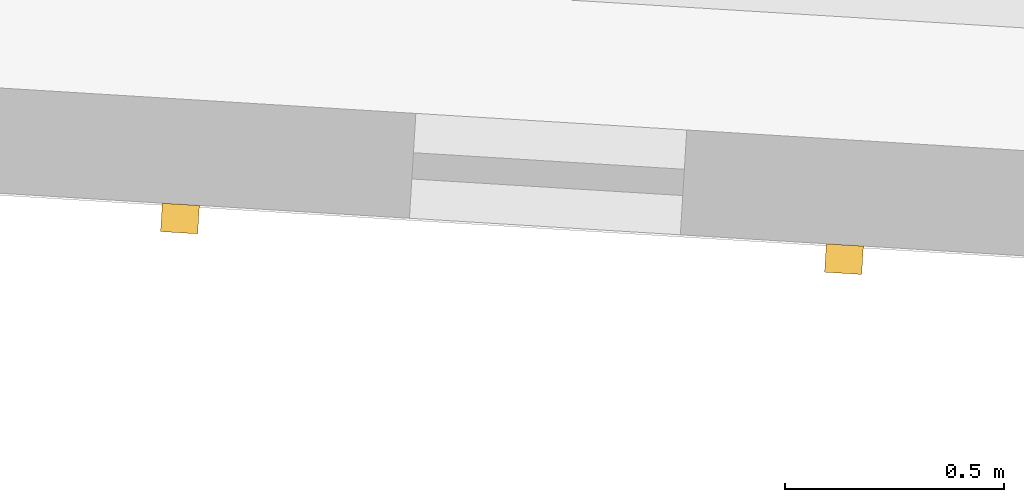
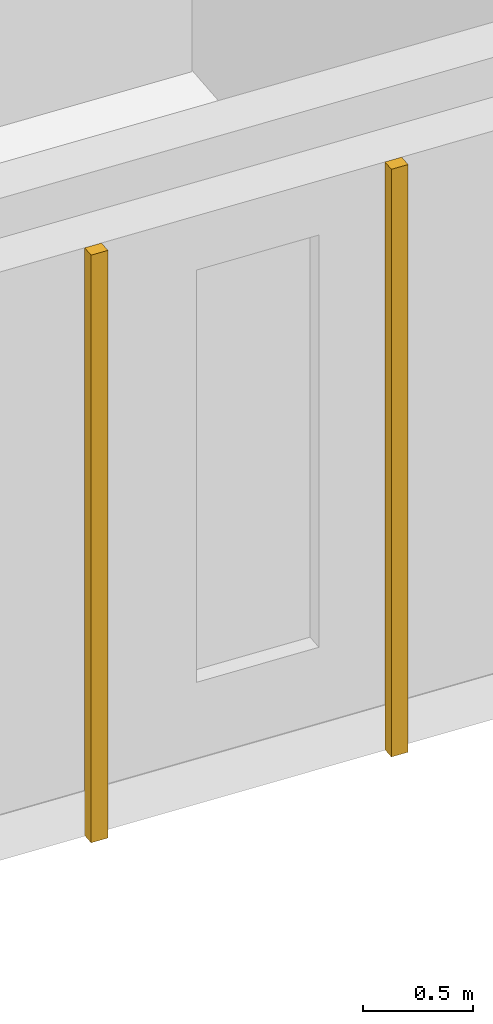
# One storey, part 52 of 68: 2 coverings.
"""IFC4 building model written with IfcOpenShell, lengths in metres."""

import ifcopenshell
import ifcopenshell.guid

model = None  # the IFC model being written
_history = None  # IfcOwnerHistory: only IFC2X3 demands one
_inside = {}  # id of a spatial element -> (the spatial element, [elements in it])
_under = {}  # id of a project, library or spatial element -> (it, [spatial elements below it])
_declared = {}  # id of a project -> (the project, [libraries it declares])
_typed = {}  # id of a type object -> (the type object, [elements of that type])
_made_of = {}  # id of a material, layer set ... -> (it, [elements and type objects made of it])


def new_model(schema):
    """Start an empty IFC model of exactly this schema.

    Asked for "IFC4X3", IfcOpenShell would pick the latest addendum, in which some entities
    have other attributes; the version numbers below select the first issue.
    IFC2X3 requires an IfcOwnerHistory on every rooted entity: one is made here for all.
    """
    global model, _history
    if schema == "IFC4X3":
        model = ifcopenshell.file(schema_version=(4, 3, 0, 0))
    else:
        model = ifcopenshell.file(schema=schema)
    _inside.clear()
    _under.clear()
    _declared.clear()
    _typed.clear()
    _made_of.clear()
    _history = None
    if model.schema == "IFC2X3":
        org = make("IfcOrganization", Name="unknown")
        user = make(
            "IfcPersonAndOrganization",
            ThePerson=make("IfcPerson", FamilyName="unknown"),
            TheOrganization=org,
        )
        app = make(
            "IfcApplication",
            ApplicationDeveloper=org,
            Version="unknown",
            ApplicationFullName="unknown",
            ApplicationIdentifier="unknown",
        )
        _history = make(
            "IfcOwnerHistory",
            OwningUser=user,
            OwningApplication=app,
            ChangeAction="ADDED",
            CreationDate=0,
        )
    return model


def make(cls, **values):
    """One entity of the class cls with the attributes given. An attribute that is None is left unset."""
    return model.create_entity(
        cls, **{name: value for name, value in values.items() if value is not None}
    )


def rooted(cls, **values):
    """An entity with a GlobalId (a new one), such as an element, a storey or a relation."""
    return make(cls, GlobalId=ifcopenshell.guid.new(), OwnerHistory=_history, **values)


def si_unit(unit_type, name, prefix=None):
    """IfcSIUnit, for example si_unit("LENGTHUNIT", "METRE", prefix="MILLI")."""
    return make("IfcSIUnit", UnitType=unit_type, Prefix=prefix, Name=name)


def assignment(units):
    """IfcUnitAssignment: the units of a project."""
    return None if units is None else make("IfcUnitAssignment", Units=units)


def point(xyz):
    """IfcCartesianPoint."""
    return None if xyz is None else make("IfcCartesianPoint", Coordinates=xyz)


def direction(xyz):
    """IfcDirection."""
    return None if xyz is None else make("IfcDirection", DirectionRatios=xyz)


def frame(location, z_axis=None, x_axis=None):
    """IfcAxis2Placement3D, a coordinate frame: its origin and axes. An axis left out is left unset."""
    return make(
        "IfcAxis2Placement3D",
        Location=point(location),
        Axis=direction(z_axis),
        RefDirection=direction(x_axis),
    )


def frame_2d(location, x_axis=None):
    """IfcAxis2Placement2D, a coordinate frame in the plane: its origin and x axis."""
    return make(
        "IfcAxis2Placement2D", Location=point(location), RefDirection=direction(x_axis)
    )


def origin():
    """The frame at (0, 0, 0) with its axes left unset."""
    return frame((0.0, 0.0, 0.0))


def origin_2d():
    """The frame at (0, 0) in the plane with its x axis left unset."""
    return frame_2d((0.0, 0.0))


def place(relative_to, where):
    """IfcLocalPlacement: puts the frame where relative to a parent placement (None: the world)."""
    return make(
        "IfcLocalPlacement", PlacementRelTo=relative_to, RelativePlacement=where
    )


def context(
    kind, dimensions, precision=None, world=None, true_north=None, identifier=None
):
    """IfcGeometricRepresentationContext, for example the 3D "Model" context."""
    return make(
        "IfcGeometricRepresentationContext",
        ContextIdentifier=identifier,
        ContextType=kind,
        CoordinateSpaceDimension=dimensions,
        Precision=precision,
        WorldCoordinateSystem=world,
        TrueNorth=true_north,
    )


def subcontext(parent, identifier, kind, view, scale=None):
    """IfcGeometricRepresentationSubContext, for example "Body" below "Model"."""
    return make(
        "IfcGeometricRepresentationSubContext",
        ContextIdentifier=identifier,
        ContextType=kind,
        ParentContext=parent,
        TargetScale=scale,
        TargetView=view,
    )


def project(units=None, contexts=None):
    """IfcProject with its units and contexts."""
    return rooted(
        "IfcProject",
        Name="project",
        RepresentationContexts=contexts,
        UnitsInContext=assignment(units),
    )


def spatial(cls, under=None, at=None, **own):
    """A site, building, storey or space (cls), placed at a placement, below another one or the project."""
    s = rooted(cls, ObjectPlacement=at, **own)
    if under is not None:
        _under.setdefault(under.id(), (under, []))[1].append(s)
    return s


def profile(cls, at=None, kind="AREA", **sizes):
    """A parametric profile (cls). Its sizes go by their IFC names, for example OverallWidth=200.0."""
    return make(cls, ProfileType=kind, Position=at, **sizes)


def rectangle(**sizes):
    """IfcRectangleProfileDef."""
    return profile("IfcRectangleProfileDef", **sizes)


def extrude(swept, where, along, depth):
    """IfcExtrudedAreaSolid: the profile swept, set in the frame where, extruded along a direction by depth."""
    return make(
        "IfcExtrudedAreaSolid",
        SweptArea=swept,
        Position=where,
        ExtrudedDirection=direction(along),
        Depth=depth,
    )


def shape(context_of_items, identifier, shape_type, items):
    """IfcShapeRepresentation: the items that make up one representation, for example the "Body"."""
    return make(
        "IfcShapeRepresentation",
        ContextOfItems=context_of_items,
        RepresentationIdentifier=identifier,
        RepresentationType=shape_type,
        Items=items,
    )


def material(Name=None, Category=None):
    """IfcMaterial."""
    return make("IfcMaterial", Name=Name, Category=Category)


def layer(
    of_material, thickness, ventilated=None, Name=None, Category=None, Priority=None
):
    """IfcMaterialLayer: one layer of a wall or slab, of a material (None: an air gap)."""
    return make(
        "IfcMaterialLayer",
        Material=of_material,
        LayerThickness=thickness,
        IsVentilated=ventilated,
        Name=Name,
        Category=Category,
        Priority=Priority,
    )


def layer_set(layers, Name=None):
    """IfcMaterialLayerSet."""
    return make("IfcMaterialLayerSet", MaterialLayers=layers, LayerSetName=Name)


def made_of(thing, what):
    """Note that an element or type object is made of a material, layer set ...; save() writes the relation."""
    if what is not None:
        _made_of.setdefault(what.id(), (what, []))[1].append(thing)
    return thing


def type_object(cls, material=None, **own):
    """A type object (cls), such as IfcWallType, which elements share."""
    return made_of(rooted(cls, **own), material)


def element(
    cls,
    number,
    at=None,
    inside=None,
    cuts=None,
    type_object=None,
    material=None,
    context=None,
    identifier="Body",
    shape_type=None,
    held_by="IfcProductDefinitionShape",
    body=None,
    shapes=None,
    **own,
):
    """One element of the class cls, such as IfcWall. Its Tag is "e" and its number.

    at: its placement. inside: the storey or other place that contains it. cuts: it is an
    opening in that element (IfcRelVoidsElement). A single representation is given by context,
    identifier, shape_type and body (its items); several are given by shapes. held_by: the class
    of the entity that holds the representations. save() writes the other relations.
    """
    e = rooted(cls, Tag="e%d" % number, ObjectPlacement=at, **own)
    if body is not None:
        shapes = [shape(context, identifier, shape_type, body)]
    if shapes is not None:
        e.Representation = make(held_by, Representations=shapes)
    if inside is not None:
        _inside.setdefault(inside.id(), (inside, []))[1].append(e)
    if cuts is not None:
        rooted(
            "IfcRelVoidsElement", RelatingBuildingElement=cuts, RelatedOpeningElement=e
        )
    if type_object is not None:
        _typed.setdefault(type_object.id(), (type_object, []))[1].append(e)
    return made_of(e, material)


def aggregate(whole, parts):
    """IfcRelAggregates: a whole, such as a stair, and the parts it consists of."""
    return rooted("IfcRelAggregates", RelatingObject=whole, RelatedObjects=parts)


def save(model, path):
    """Write the relations noted so far, then the file.

    IfcRelAggregates (storeys below a building ...), IfcRelContainedInSpatialStructure (elements
    in a storey), IfcRelDefinesByType, IfcRelAssociatesMaterial and IfcRelDeclares: one each for
    every whole, place, type object, material and project.
    """
    for whole, parts in _under.values():
        aggregate(whole, parts)
    for where, things in _inside.values():
        rooted(
            "IfcRelContainedInSpatialStructure",
            RelatedElements=things,
            RelatingStructure=where,
        )
    for kind, things in _typed.values():
        rooted("IfcRelDefinesByType", RelatedObjects=things, RelatingType=kind)
    for what, things in _made_of.values():
        rooted("IfcRelAssociatesMaterial", RelatedObjects=things, RelatingMaterial=what)
    for by, libraries in _declared.values():
        rooted("IfcRelDeclares", RelatingContext=by, RelatedDefinitions=libraries)
    model.write(path)


model = new_model("IFC4")

# Units and contexts
model_context = context("Model", 3, precision=1e-05, world=origin(), true_north=direction((0.0, 1.0)))
body_context = subcontext(model_context, "Body", "Model", "MODEL_VIEW")
ifc_project = project(units=[si_unit("LENGTHUNIT", "METRE"), si_unit("AREAUNIT", "SQUARE_METRE"), si_unit("VOLUMEUNIT", "CUBIC_METRE"), si_unit("PLANEANGLEUNIT", "RADIAN"), si_unit("MASSUNIT", "GRAM", prefix="KILO")], contexts=[model_context])

# Site, building, storey
site_placement = place(None, origin())
site = spatial("IfcSite", under=ifc_project, at=site_placement, CompositionType="ELEMENT")
building_placement = place(site_placement, origin())
building = spatial("IfcBuilding", under=site, at=building_placement, Name="Kestramere Prow Commons", CompositionType="ELEMENT")
storey_placement = place(building_placement, frame((0.0, 0.0, 18.14990234375)))
storey = spatial("IfcBuildingStorey", under=building, at=storey_placement, Name="L05", CompositionType="ELEMENT", Elevation=18.14990234375)

# Coverings
ifc_material = material(Name="Weathered Zinc-Titanium Standing-Seam Cladding")
ifc_layer = layer(ifc_material, 0.074951171875)
ifc_layer_set = layer_set([ifc_layer], Name="Weathered Zinc-Titanium Standing-Seam Cladding")
covering_type = type_object("IfcCoveringType", Name="COV-CLAD-SEAM", PredefinedType="CLADDING", material=ifc_layer_set)
for number, where, z_axis, x_axis, name in (
    (1, (95.87060546875, 43.5966796875, -0.25), (0.0, 0.0, 1.0), (-0.998134798422, 0.061048539535, 0.0), "EW-C-L05-S-4 Standing-Seam Rib 1"),
    (2, (94.353515625, 43.689453125, -0.25), (0.0, 0.0, 1.0), (-0.998134798422, 0.061048539535, 0.0), "EW-C-L05-S-4 Standing-Seam Rib 2"),
):
    element("IfcCovering", number, at=place(storey_placement, frame(where, z_axis=z_axis, x_axis=x_axis)), inside=storey, type_object=covering_type, Name=name, PredefinedType="CLADDING", context=body_context, shape_type="SweptSolid", body=[
        extrude(rectangle(XDim=0.0849609375, YDim=0.06494140625, at=origin_2d()), origin(), (0.0, 0.0, 1.0), 3.25),
    ])

save(model, "model.ifc")
